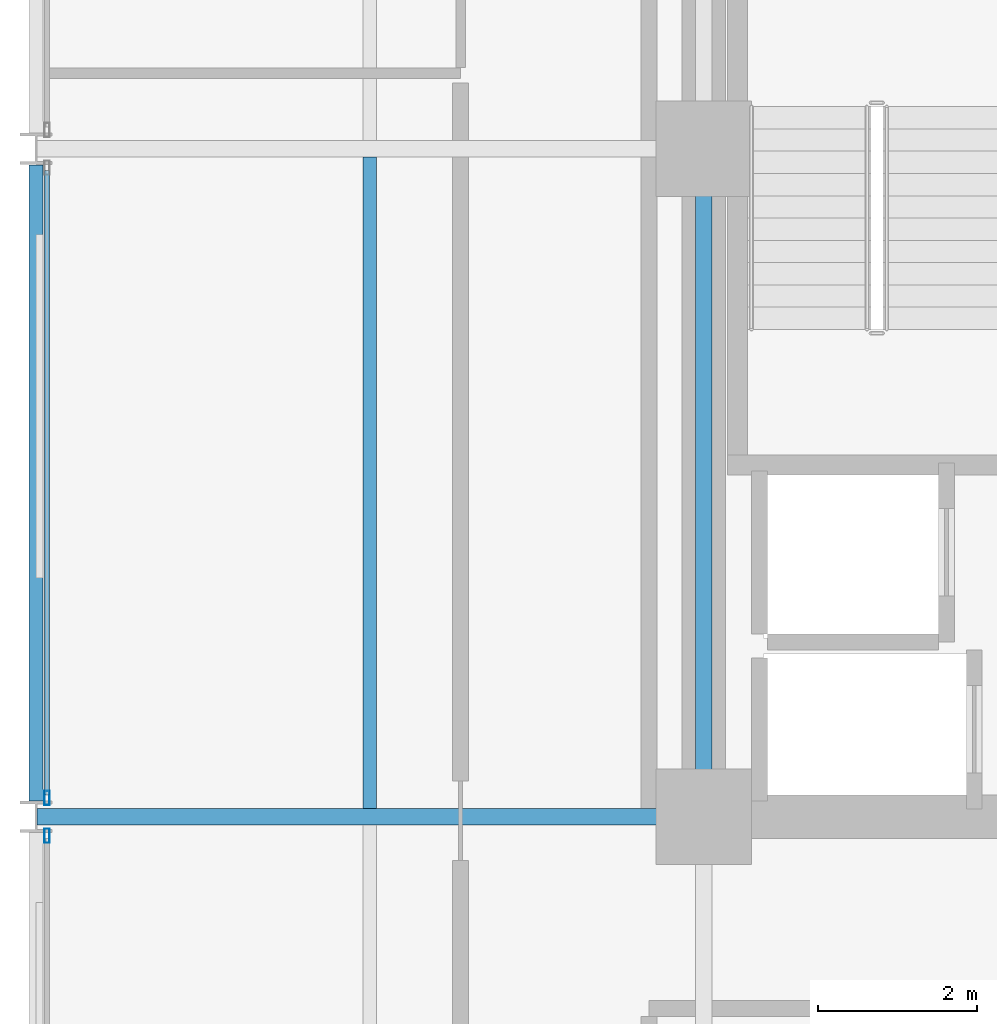
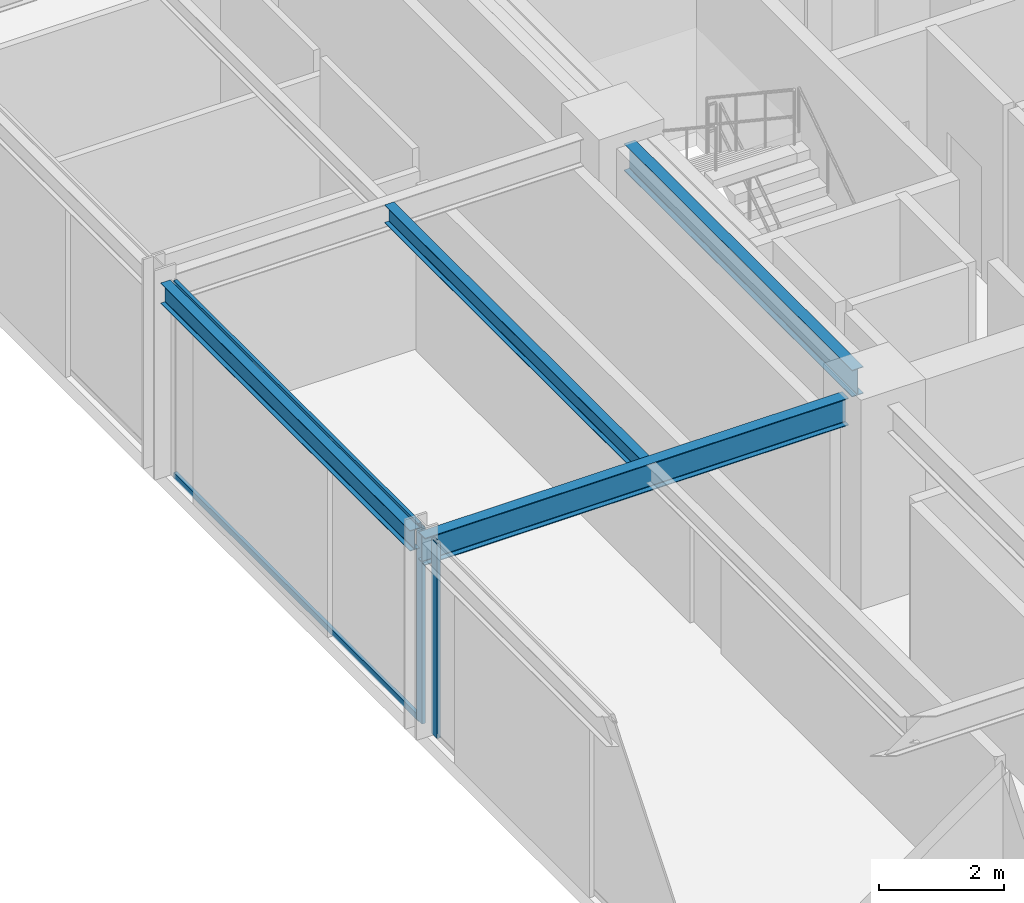
# One storey, part 13 of 38: 4 beams, 4 members, 2 elements without a shape of their own.
"""IFC4 building model written with IfcOpenShell, lengths in metres."""

from ifc_helpers import new_model, si_unit, direction, frame, origin, origin_2d, place, context, subcontext, project, spatial, hollow_rectangle, i_section, extrude, material, layer, layer_set, material_profile, profile_set, type_object, element, aggregate, save


model = new_model("IFC4")

# Units and contexts
model_context = context("Model", 3, precision=1e-05, world=origin(), true_north=direction((0.0, 1.0)))
body_context = subcontext(model_context, "Body", "Model", "MODEL_VIEW")
ifc_project = project(units=[si_unit("LENGTHUNIT", "METRE"), si_unit("AREAUNIT", "SQUARE_METRE"), si_unit("VOLUMEUNIT", "CUBIC_METRE"), si_unit("PLANEANGLEUNIT", "RADIAN"), si_unit("MASSUNIT", "GRAM", prefix="KILO")], contexts=[model_context])

# Site, building, storey
site_placement = place(None, origin())
site = spatial("IfcSite", under=ifc_project, at=site_placement, CompositionType="ELEMENT")
building_placement = place(site_placement, origin())
building = spatial("IfcBuilding", under=site, at=building_placement, Name="Nerrivon Quay Data Exchange", CompositionType="ELEMENT")
storey_placement = place(building_placement, frame((0.0, 0.0, 100.800048828125)))
storey = spatial("IfcBuildingStorey", under=building, at=storey_placement, Name="L23", CompositionType="ELEMENT", Elevation=100.800048828125)

# Beams
ifc_material_1 = material(Name="Steel Grade 350", Category="steel")
ifc_material_profile_1 = material_profile(ifc_material_1, i_section(OverallWidth=0.208984375, OverallDepth=0.532958984375, WebThickness=0.01025390625, FlangeThickness=0.015625, FilletRadius=0.013916015625, at=origin_2d()), Name="530UB92.4")
ifc_profile_set_1 = profile_set([ifc_material_profile_1], Name="Steel Grade 350")
beam_type_1 = type_object("IfcBeamType", Name="BM-G3-530UB92", PredefinedType="BEAM", material=ifc_profile_set_1)
beam_1_placement = place(storey_placement, frame((0.012451171875, 25.199951171875, 3.558349609375), z_axis=(1.0, 0.0, 0.0), x_axis=(0.0, 1.0, 0.0)))
element("IfcBeam", 1, at=beam_1_placement, inside=storey, type_object=beam_type_1, Name="L23 EW Girder Y=25.2 (0.0..8.4)", PredefinedType="BEAM", context=body_context, shape_type="SweptSolid", body=[
    extrude(i_section(OverallWidth=0.208984375, OverallDepth=0.532958984375, WebThickness=0.01025390625, FlangeThickness=0.015625, FilletRadius=0.013916015625, at=origin_2d()), origin(), (0.0, 0.0, 1.0), 7.84765625),
])
ifc_material_profile_2 = material_profile(ifc_material_1, i_section(OverallWidth=0.208984375, OverallDepth=0.528076171875, WebThickness=0.009521484375, FlangeThickness=0.01318359375, FilletRadius=0.013916015625, at=origin_2d()), Name="530UB82.0")
ifc_profile_set_2 = profile_set([ifc_material_profile_2], Name="Steel Grade 350")
beam_type_2 = type_object("IfcBeamType", Name="BM-G4-530UB82", PredefinedType="BEAM", material=ifc_profile_set_2)
beam_2_placement = place(storey_placement, frame((8.39990234375, 25.739990234375, 3.56103515625), z_axis=(0.0, 1.0, 0.0), x_axis=(-1.0, 0.0, 0.0)))
element("IfcBeam", 2, at=beam_2_placement, inside=storey, type_object=beam_type_2, Name="L23 NS Girder X=8.4 (25.2..33.6)", PredefinedType="BEAM", context=body_context, shape_type="SweptSolid", body=[
    extrude(i_section(OverallWidth=0.208984375, OverallDepth=0.528076171875, WebThickness=0.009521484375, FlangeThickness=0.01318359375, FilletRadius=0.013916015625, at=origin_2d()), origin(), (0.0, 0.0, 1.0), 7.320068359375),
])
ifc_material_profile_3 = material_profile(ifc_material_1, i_section(OverallWidth=0.1708984375, OverallDepth=0.35595703125, WebThickness=0.00732421875, FlangeThickness=0.011474609375, FilletRadius=0.011474609375, at=origin_2d()), Name="360UB50.7")
ifc_profile_set_3 = profile_set([ifc_material_profile_3], Name="Steel Grade 350")
beam_type_3 = type_object("IfcBeamType", Name="BM-J4-360UB51", PredefinedType="JOIST", material=ifc_profile_set_3)
beam_3_placement = place(storey_placement, frame((4.199951171875, 25.304443359375, 3.64697265625), z_axis=(0.0, 1.0, 0.0), x_axis=(-1.0, 0.0, 0.0)))
element("IfcBeam", 3, at=beam_3_placement, inside=storey, type_object=beam_type_3, Name="L23 Secondary Joist X=4.2 (25.2..33.6)", PredefinedType="JOIST", context=body_context, shape_type="SweptSolid", body=[
    extrude(i_section(OverallWidth=0.1708984375, OverallDepth=0.35595703125, WebThickness=0.00732421875, FlangeThickness=0.011474609375, FilletRadius=0.011474609375, at=origin_2d()), origin(), (0.0, 0.0, 1.0), 8.191162109375),
])
ifc_material_profile_4 = material_profile(ifc_material_1, i_section(OverallWidth=0.177978515625, OverallDepth=0.403076171875, WebThickness=0.007568359375, FlangeThickness=0.010986328125, FilletRadius=0.011474609375, at=origin_2d()), Name="410UB53.7")
ifc_profile_set_4 = profile_set([ifc_material_profile_4], Name="Steel Grade 350")
beam_type_4 = type_object("IfcBeamType", Name="BM-SP2-410UB54", PredefinedType="SPANDREL", material=ifc_profile_set_4)
beam_4_placement = place(storey_placement, frame((0.0, 25.39990234375, 3.62353515625), z_axis=(0.0, 1.0, 0.0), x_axis=(-1.0, 0.0, 0.0)))
element("IfcBeam", 4, at=beam_4_placement, inside=storey, type_object=beam_type_4, Name="L23 NS Girder X=0.0 (25.2..33.6)", PredefinedType="SPANDREL", context=body_context, shape_type="SweptSolid", body=[
    extrude(i_section(OverallWidth=0.177978515625, OverallDepth=0.403076171875, WebThickness=0.007568359375, FlangeThickness=0.010986328125, FilletRadius=0.011474609375, at=origin_2d()), origin(), (0.0, 0.0, 1.0), 8.0),
])

# Curtain wall, member
ifc_material_2 = material(Name="Anodised aluminium 6063-T6", Category="aluminium")
ifc_layer = layer(ifc_material_2, 0.2099609375)
ifc_layer_set = layer_set([ifc_layer], Name="Anodised aluminium 6063-T6")
curtain_wall_type = type_object("IfcCurtainWallType", Name="CW-SYS-02", PredefinedType="NOTDEFINED", material=ifc_layer_set)
curtain_wall_1_placement = place(storey_placement, origin())
curtain_wall_1 = element("IfcCurtainWall", 5, at=curtain_wall_1_placement, inside=storey, type_object=curtain_wall_type, Name="L23 Unitised Curtain Wall 19", PredefinedType="NOTDEFINED")
ifc_material_profile_5 = material_profile(ifc_material_2, hollow_rectangle(XDim=0.06494140625, YDim=0.179931640625, WallThickness=0.00341796875, at=origin_2d()), Name="ALU-MULL-180x65")
ifc_profile_set_5 = profile_set([ifc_material_profile_5], Name="Anodised aluminium 6063-T6")
member_type_1 = type_object("IfcMemberType", Name="CWM-180x65", PredefinedType="MULLION", material=ifc_profile_set_5)
member_1_placement = place(storey_placement, frame((0.139892578125, 24.96240234375, 0.0), z_axis=(0.0, 0.0, 1.0), x_axis=(-1.0, 0.0, 0.0)))
member_1 = element("IfcMember", 6, at=member_1_placement, type_object=member_type_1, Name="CW02 mullion 2", PredefinedType="MULLION", context=body_context, shape_type="SweptSolid", body=[
    extrude(hollow_rectangle(XDim=0.06494140625, YDim=0.179931640625, WallThickness=0.00341796875, at=origin_2d()), origin(), (0.0, 0.0, 1.0), 3.824951171875),
])
aggregate(curtain_wall_1, [member_1])

# Curtain wall, members
curtain_wall_2_placement = place(storey_placement, origin())
curtain_wall_2 = element("IfcCurtainWall", 7, at=curtain_wall_2_placement, inside=storey, type_object=curtain_wall_type, Name="L23 Unitised Curtain Wall 20", PredefinedType="NOTDEFINED")
member_2_placement = place(storey_placement, frame((0.139892578125, 25.4375, 0.0), z_axis=(0.0, 0.0, 1.0), x_axis=(-1.0, 0.0, 0.0)))
member_2 = element("IfcMember", 8, at=member_2_placement, type_object=member_type_1, Name="CW02 mullion 1", PredefinedType="MULLION", context=body_context, shape_type="SweptSolid", body=[
    extrude(hollow_rectangle(XDim=0.06494140625, YDim=0.179931640625, WallThickness=0.00341796875, at=origin_2d()), origin(), (0.0, 0.0, 1.0), 3.824951171875),
])
ifc_material_profile_6 = material_profile(ifc_material_2, hollow_rectangle(XDim=0.06005859375, YDim=0.1201171875, WallThickness=0.003173828125, at=origin_2d()), Name="ALU-TRAN-120x60")
ifc_profile_set_6 = profile_set([ifc_material_profile_6], Name="Anodised aluminium 6063-T6")
member_type_2 = type_object("IfcMemberType", Name="CWT-120x60", PredefinedType="USERDEFINED", material=ifc_profile_set_6)
member_3_placement = place(storey_placement, frame((0.139892578125, 25.47509765625, 0.032470703125), z_axis=(0.0, 1.0, 0.0), x_axis=(-1.0, 0.0, 0.0)))
member_3 = element("IfcMember", 9, at=member_3_placement, type_object=member_type_2, Name="CW02 transom 1.1", ObjectType="TRANSOM", PredefinedType="USERDEFINED", context=body_context, shape_type="SweptSolid", body=[
    extrude(hollow_rectangle(XDim=0.06005859375, YDim=0.1201171875, WallThickness=0.003173828125, at=origin_2d()), origin(), (0.0, 0.0, 1.0), 7.849853515625),
])
member_4_placement = place(storey_placement, frame((0.139892578125, 25.47509765625, 3.79248046875), z_axis=(0.0, 1.0, 0.0), x_axis=(-1.0, 0.0, 0.0)))
member_4 = element("IfcMember", 10, at=member_4_placement, type_object=member_type_2, Name="CW02 transom 1.2", ObjectType="TRANSOM", PredefinedType="USERDEFINED", context=body_context, shape_type="SweptSolid", body=[
    extrude(hollow_rectangle(XDim=0.06005859375, YDim=0.1201171875, WallThickness=0.003173828125, at=origin_2d()), origin(), (0.0, 0.0, 1.0), 7.849853515625),
])
aggregate(curtain_wall_2, [member_2, member_3, member_4])

save(model, "model.ifc")
